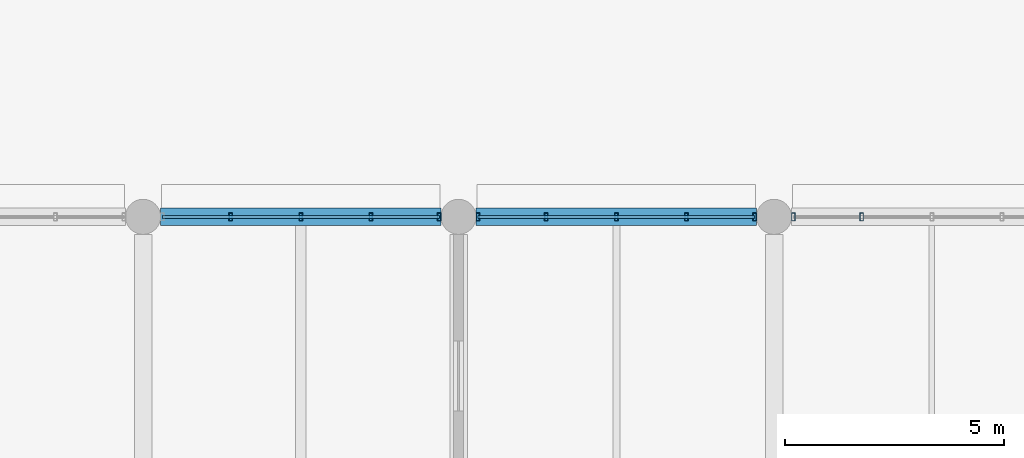
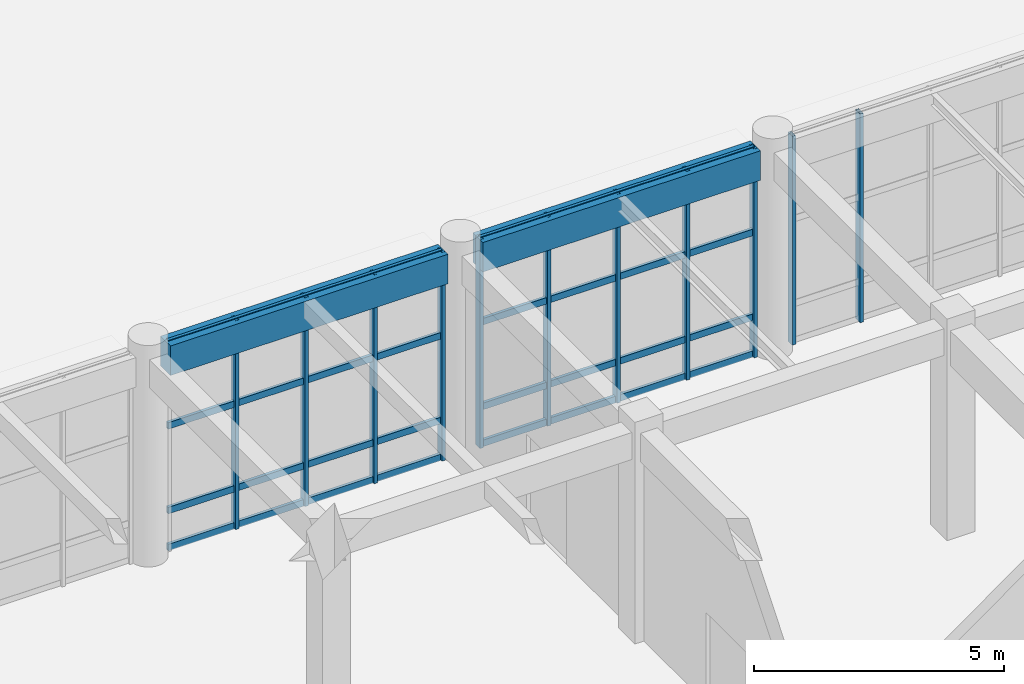
# One storey, part 52 of 160: 19 members, 2 beams, 3 elements without a shape of their own.
"""IFC4 building model written with IfcOpenShell, lengths in metres."""

from ifc_helpers import new_model, si_unit, direction, frame, origin, origin_2d, place, context, subcontext, project, spatial, rectangle, hollow_rectangle, extrude, material, material_profile, profile_set, type_object, element, aggregate, save


model = new_model("IFC4")

# Units and contexts
model_context = context("Model", 3, precision=1e-05, world=origin(), true_north=direction((0.0, 1.0)))
body_context = subcontext(model_context, "Body", "Model", "MODEL_VIEW")
ifc_project = project(units=[si_unit("LENGTHUNIT", "METRE"), si_unit("AREAUNIT", "SQUARE_METRE"), si_unit("VOLUMEUNIT", "CUBIC_METRE"), si_unit("PLANEANGLEUNIT", "RADIAN"), si_unit("MASSUNIT", "GRAM", prefix="KILO")], contexts=[model_context])

# Site, building, storey
site_placement = place(None, origin())
site = spatial("IfcSite", under=ifc_project, at=site_placement, CompositionType="ELEMENT")
building_placement = place(site_placement, origin())
building = spatial("IfcBuilding", under=site, at=building_placement, Name="Thalmaran Polytechnic", CompositionType="ELEMENT")
storey_placement = place(building_placement, origin())
storey = spatial("IfcBuildingStorey", under=building, at=storey_placement, Name="L00", CompositionType="ELEMENT", Elevation=0.0)

# Beams
ifc_material_1 = material(Name="Concrete C40/50", Category="concrete")
ifc_material_profile_1 = material_profile(ifc_material_1, rectangle(XDim=0.39990234375, YDim=0.719970703125, at=origin_2d()), Name="RC 400x720")
ifc_profile_set_1 = profile_set([ifc_material_profile_1], Name="Concrete C40/50")
beam_type = type_object("IfcBeamType", Name="BM-SP01", PredefinedType="SPANDREL", material=ifc_profile_set_1)
for number, where, z_axis, x_axis, name in (
    (1, (43.60009765625, 72.0, 4.72998046875), (1.0, 0.0, 0.0), (0.0, 1.0, 0.0), "Grid Beam SP01 L00 X(6,10)"),
    (2, (50.800048828125, 72.0, 4.72998046875), (1.0, 0.0, 0.0), (0.0, 1.0, 0.0), "Grid Beam SP01 L00 X(7,10)"),
):
    element("IfcBeam", number, at=place(storey_placement, frame(where, z_axis=z_axis, x_axis=x_axis)), inside=storey, type_object=beam_type, Name=name, PredefinedType="SPANDREL", context=body_context, shape_type="SweptSolid", body=[
        extrude(rectangle(XDim=0.39990234375, YDim=0.719970703125, at=origin_2d()), origin(), (0.0, 0.0, 1.0), 6.39990234375),
    ])

# Curtain wall, members
ifc_material_2 = material(Name="Aluminium 6063-T6", Category="aluminium")
curtain_wall_type = type_object("IfcCurtainWallType", Name="CW-SC01", PredefinedType="USERDEFINED", material=ifc_material_2)
curtain_wall_1_placement = place(storey_placement, origin())
curtain_wall_1 = element("IfcCurtainWall", 3, at=curtain_wall_1_placement, inside=storey, type_object=curtain_wall_type, Name="Curtain Wall CW-L00-029", ObjectType="STICK CURTAIN WALL", PredefinedType="USERDEFINED")
ifc_material_profile_2 = material_profile(ifc_material_2, hollow_rectangle(XDim=0.080078125, YDim=0.179931640625, WallThickness=0.0048828125, at=origin_2d()), Name="RHS 180x80x5.0")
ifc_profile_set_2 = profile_set([ifc_material_profile_2], Name="Aluminium 6063-T6")
member_type_1 = type_object("IfcMemberType", Name="CW-MUL1", PredefinedType="MULLION", material=ifc_profile_set_2)
member_1_placement = place(storey_placement, frame((45.199951171875, 72.0, 0.0), z_axis=(0.0, 0.0, 1.0), x_axis=(1.0, 0.0, 0.0)))
member_1 = element("IfcMember", 4, at=member_1_placement, type_object=member_type_1, Name="CW-L00-029 Mullion 2", PredefinedType="MULLION", context=body_context, shape_type="SweptSolid", body=[
    extrude(hollow_rectangle(XDim=0.080078125, YDim=0.179931640625, WallThickness=0.0048828125, at=origin_2d()), origin(), (0.0, 0.0, 1.0), 5.090087890625),
])
member_2_placement = place(storey_placement, frame((46.800048828125, 72.0, 0.0), z_axis=(0.0, 0.0, 1.0), x_axis=(1.0, 0.0, 0.0)))
member_2 = element("IfcMember", 5, at=member_2_placement, type_object=member_type_1, Name="CW-L00-029 Mullion 3", PredefinedType="MULLION", context=body_context, shape_type="SweptSolid", body=[
    extrude(hollow_rectangle(XDim=0.080078125, YDim=0.179931640625, WallThickness=0.0048828125, at=origin_2d()), origin(), (0.0, 0.0, 1.0), 5.090087890625),
])
member_3_placement = place(storey_placement, frame((48.39990234375, 72.0, 0.0), z_axis=(0.0, 0.0, 1.0), x_axis=(1.0, 0.0, 0.0)))
member_3 = element("IfcMember", 6, at=member_3_placement, type_object=member_type_1, Name="CW-L00-029 Mullion 4", PredefinedType="MULLION", context=body_context, shape_type="SweptSolid", body=[
    extrude(hollow_rectangle(XDim=0.080078125, YDim=0.179931640625, WallThickness=0.0048828125, at=origin_2d()), origin(), (0.0, 0.0, 1.0), 5.090087890625),
])
member_4_placement = place(storey_placement, frame((49.9599609375, 72.0, 0.0), z_axis=(0.0, 0.0, 1.0), x_axis=(1.0, 0.0, 0.0)))
member_4 = element("IfcMember", 7, at=member_4_placement, type_object=member_type_1, Name="CW-L00-029 Mullion 5", PredefinedType="MULLION", context=body_context, shape_type="SweptSolid", body=[
    extrude(hollow_rectangle(XDim=0.080078125, YDim=0.179931640625, WallThickness=0.0048828125, at=origin_2d()), origin(), (0.0, 0.0, 1.0), 5.090087890625),
])

curtain_wall_2_placement = place(storey_placement, origin())
curtain_wall_2 = element("IfcCurtainWall", 8, at=curtain_wall_2_placement, inside=storey, type_object=curtain_wall_type, Name="Curtain Wall CW-L00-030", ObjectType="STICK CURTAIN WALL", PredefinedType="USERDEFINED")
member_5_placement = place(storey_placement, frame((50.840087890625, 72.0, 0.0), z_axis=(0.0, 0.0, 1.0), x_axis=(1.0, 0.0, 0.0)))
member_5 = element("IfcMember", 9, at=member_5_placement, type_object=member_type_1, Name="CW-L00-030 Mullion 1", PredefinedType="MULLION", context=body_context, shape_type="SweptSolid", body=[
    extrude(hollow_rectangle(XDim=0.080078125, YDim=0.179931640625, WallThickness=0.0048828125, at=origin_2d()), origin(), (0.0, 0.0, 1.0), 5.090087890625),
])
member_6_placement = place(storey_placement, frame((52.39990234375, 72.0, 0.0), z_axis=(0.0, 0.0, 1.0), x_axis=(1.0, 0.0, 0.0)))
member_6 = element("IfcMember", 10, at=member_6_placement, type_object=member_type_1, Name="CW-L00-030 Mullion 2", PredefinedType="MULLION", context=body_context, shape_type="SweptSolid", body=[
    extrude(hollow_rectangle(XDim=0.080078125, YDim=0.179931640625, WallThickness=0.0048828125, at=origin_2d()), origin(), (0.0, 0.0, 1.0), 5.090087890625),
])
member_7_placement = place(storey_placement, frame((54.0, 72.0, 0.0), z_axis=(0.0, 0.0, 1.0), x_axis=(1.0, 0.0, 0.0)))
member_7 = element("IfcMember", 11, at=member_7_placement, type_object=member_type_1, Name="CW-L00-030 Mullion 3", PredefinedType="MULLION", context=body_context, shape_type="SweptSolid", body=[
    extrude(hollow_rectangle(XDim=0.080078125, YDim=0.179931640625, WallThickness=0.0048828125, at=origin_2d()), origin(), (0.0, 0.0, 1.0), 5.090087890625),
])
member_8_placement = place(storey_placement, frame((55.60009765625, 72.0, 0.0), z_axis=(0.0, 0.0, 1.0), x_axis=(1.0, 0.0, 0.0)))
member_8 = element("IfcMember", 12, at=member_8_placement, type_object=member_type_1, Name="CW-L00-030 Mullion 4", PredefinedType="MULLION", context=body_context, shape_type="SweptSolid", body=[
    extrude(hollow_rectangle(XDim=0.080078125, YDim=0.179931640625, WallThickness=0.0048828125, at=origin_2d()), origin(), (0.0, 0.0, 1.0), 5.090087890625),
])
member_9_placement = place(storey_placement, frame((57.159912109375, 72.0, 0.0), z_axis=(0.0, 0.0, 1.0), x_axis=(1.0, 0.0, 0.0)))
member_9 = element("IfcMember", 13, at=member_9_placement, type_object=member_type_1, Name="CW-L00-030 Mullion 5", PredefinedType="MULLION", context=body_context, shape_type="SweptSolid", body=[
    extrude(hollow_rectangle(XDim=0.080078125, YDim=0.179931640625, WallThickness=0.0048828125, at=origin_2d()), origin(), (0.0, 0.0, 1.0), 5.090087890625),
])

curtain_wall_3_placement = place(storey_placement, origin())
curtain_wall_3 = element("IfcCurtainWall", 14, at=curtain_wall_3_placement, inside=storey, type_object=curtain_wall_type, Name="Curtain Wall CW-L00-031", ObjectType="STICK CURTAIN WALL", PredefinedType="USERDEFINED")
member_10_placement = place(storey_placement, frame((58.0400390625, 72.0, 0.0), z_axis=(0.0, 0.0, 1.0), x_axis=(1.0, 0.0, 0.0)))
member_10 = element("IfcMember", 15, at=member_10_placement, type_object=member_type_1, Name="CW-L00-031 Mullion 1", PredefinedType="MULLION", context=body_context, shape_type="SweptSolid", body=[
    extrude(hollow_rectangle(XDim=0.080078125, YDim=0.179931640625, WallThickness=0.0048828125, at=origin_2d()), origin(), (0.0, 0.0, 1.0), 5.090087890625),
])
member_11_placement = place(storey_placement, frame((59.60009765625, 72.0, 0.0), z_axis=(0.0, 0.0, 1.0), x_axis=(1.0, 0.0, 0.0)))
member_11 = element("IfcMember", 16, at=member_11_placement, type_object=member_type_1, Name="CW-L00-031 Mullion 2", PredefinedType="MULLION", context=body_context, shape_type="SweptSolid", body=[
    extrude(hollow_rectangle(XDim=0.080078125, YDim=0.179931640625, WallThickness=0.0048828125, at=origin_2d()), origin(), (0.0, 0.0, 1.0), 5.090087890625),
])
aggregate(curtain_wall_3, [member_10, member_11])

# Member
ifc_material_profile_3 = material_profile(ifc_material_2, hollow_rectangle(XDim=0.070068359375, YDim=0.159912109375, WallThickness=0.00390625, at=origin_2d()), Name="AL 160x70x4.0")
ifc_profile_set_3 = profile_set([ifc_material_profile_3], Name="Aluminium 6063-T6")
member_type_2 = type_object("IfcMemberType", Name="CW-TRN1", PredefinedType="USERDEFINED", material=ifc_profile_set_3)
member_12_placement = place(storey_placement, frame((43.639892578125, 72.0, 0.06005859375), z_axis=(1.0, 0.0, 0.0), x_axis=(0.0, 1.0, 0.0)))
member_12 = element("IfcMember", 17, at=member_12_placement, type_object=member_type_2, Name="CW-L00-029 Transom 1", ObjectType="TRANSOM", PredefinedType="USERDEFINED", context=body_context, shape_type="SweptSolid", body=[
    extrude(hollow_rectangle(XDim=0.070068359375, YDim=0.159912109375, WallThickness=0.00390625, at=origin_2d()), origin(), (0.0, 0.0, 1.0), 6.320068359375),
])

member_13_placement = place(storey_placement, frame((43.639892578125, 72.0, 0.9599609375), z_axis=(1.0, 0.0, 0.0), x_axis=(0.0, 1.0, 0.0)))
member_13 = element("IfcMember", 18, at=member_13_placement, type_object=member_type_2, Name="CW-L00-029 Transom 2", ObjectType="TRANSOM", PredefinedType="USERDEFINED", context=body_context, shape_type="SweptSolid", body=[
    extrude(hollow_rectangle(XDim=0.070068359375, YDim=0.159912109375, WallThickness=0.00390625, at=origin_2d()), origin(), (0.0, 0.0, 1.0), 6.320068359375),
])

member_14_placement = place(storey_placement, frame((43.639892578125, 72.0, 3.02490234375), z_axis=(1.0, 0.0, 0.0), x_axis=(0.0, 1.0, 0.0)))
member_14 = element("IfcMember", 19, at=member_14_placement, type_object=member_type_2, Name="CW-L00-029 Transom 3", ObjectType="TRANSOM", PredefinedType="USERDEFINED", context=body_context, shape_type="SweptSolid", body=[
    extrude(hollow_rectangle(XDim=0.070068359375, YDim=0.159912109375, WallThickness=0.00390625, at=origin_2d()), origin(), (0.0, 0.0, 1.0), 6.320068359375),
])

member_15_placement = place(storey_placement, frame((43.639892578125, 72.0, 5.030029296875), z_axis=(1.0, 0.0, 0.0), x_axis=(0.0, 1.0, 0.0)))
member_15 = element("IfcMember", 20, at=member_15_placement, type_object=member_type_2, Name="CW-L00-029 Transom 4", ObjectType="TRANSOM", PredefinedType="USERDEFINED", context=body_context, shape_type="SweptSolid", body=[
    extrude(hollow_rectangle(XDim=0.070068359375, YDim=0.159912109375, WallThickness=0.00390625, at=origin_2d()), origin(), (0.0, 0.0, 1.0), 6.320068359375),
])

aggregate(curtain_wall_1, [member_1, member_2, member_3, member_4, member_12, member_13, member_14, member_15])

member_16_placement = place(storey_placement, frame((50.840087890625, 72.0, 0.06005859375), z_axis=(1.0, 0.0, 0.0), x_axis=(0.0, 1.0, 0.0)))
member_16 = element("IfcMember", 21, at=member_16_placement, type_object=member_type_2, Name="CW-L00-030 Transom 1", ObjectType="TRANSOM", PredefinedType="USERDEFINED", context=body_context, shape_type="SweptSolid", body=[
    extrude(hollow_rectangle(XDim=0.070068359375, YDim=0.159912109375, WallThickness=0.00390625, at=origin_2d()), origin(), (0.0, 0.0, 1.0), 6.31982421875),
])

member_17_placement = place(storey_placement, frame((50.840087890625, 72.0, 0.9599609375), z_axis=(1.0, 0.0, 0.0), x_axis=(0.0, 1.0, 0.0)))
member_17 = element("IfcMember", 22, at=member_17_placement, type_object=member_type_2, Name="CW-L00-030 Transom 2", ObjectType="TRANSOM", PredefinedType="USERDEFINED", context=body_context, shape_type="SweptSolid", body=[
    extrude(hollow_rectangle(XDim=0.070068359375, YDim=0.159912109375, WallThickness=0.00390625, at=origin_2d()), origin(), (0.0, 0.0, 1.0), 6.31982421875),
])

member_18_placement = place(storey_placement, frame((50.840087890625, 72.0, 3.02490234375), z_axis=(1.0, 0.0, 0.0), x_axis=(0.0, 1.0, 0.0)))
member_18 = element("IfcMember", 23, at=member_18_placement, type_object=member_type_2, Name="CW-L00-030 Transom 3", ObjectType="TRANSOM", PredefinedType="USERDEFINED", context=body_context, shape_type="SweptSolid", body=[
    extrude(hollow_rectangle(XDim=0.070068359375, YDim=0.159912109375, WallThickness=0.00390625, at=origin_2d()), origin(), (0.0, 0.0, 1.0), 6.31982421875),
])

member_19_placement = place(storey_placement, frame((50.840087890625, 72.0, 5.030029296875), z_axis=(1.0, 0.0, 0.0), x_axis=(0.0, 1.0, 0.0)))
member_19 = element("IfcMember", 24, at=member_19_placement, type_object=member_type_2, Name="CW-L00-030 Transom 4", ObjectType="TRANSOM", PredefinedType="USERDEFINED", context=body_context, shape_type="SweptSolid", body=[
    extrude(hollow_rectangle(XDim=0.070068359375, YDim=0.159912109375, WallThickness=0.00390625, at=origin_2d()), origin(), (0.0, 0.0, 1.0), 6.31982421875),
])

aggregate(curtain_wall_2, [member_5, member_6, member_7, member_8, member_9, member_16, member_17, member_18, member_19])

save(model, "model.ifc")
